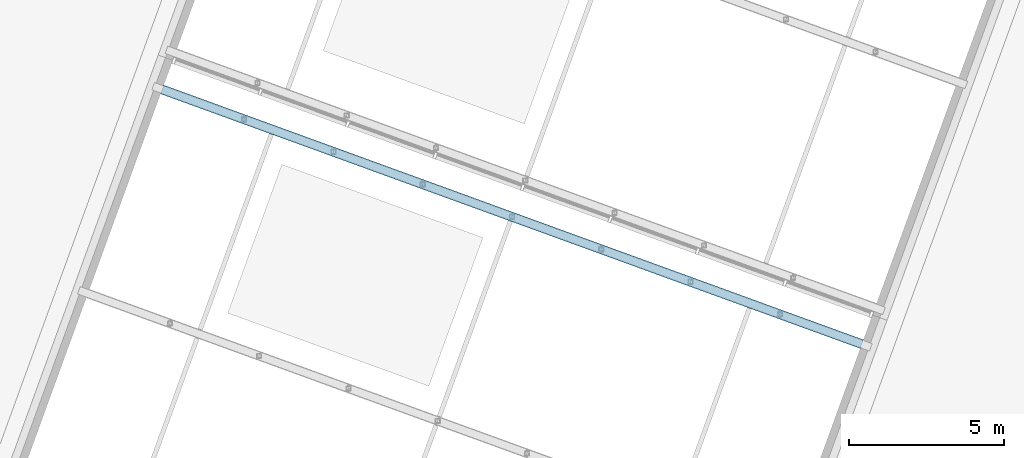
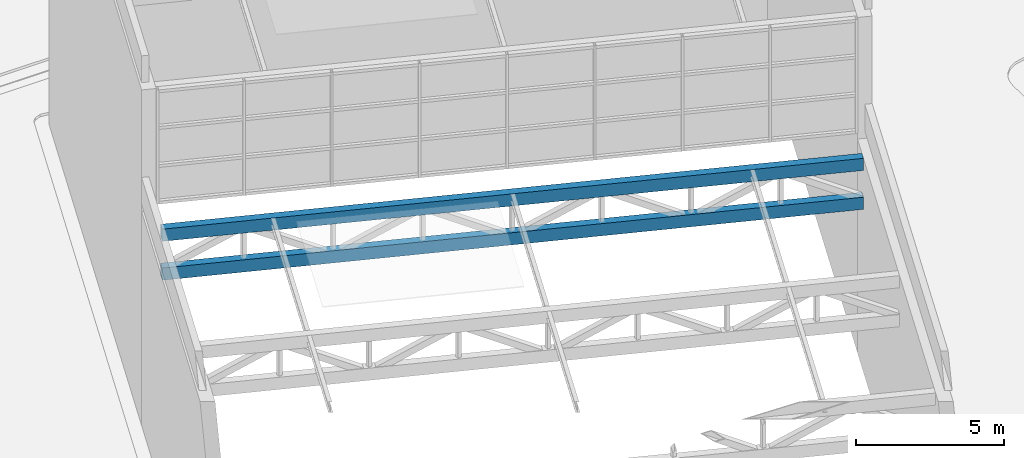
# One storey, part 34 of 72: 2 members.
"""IFC4 building model written with IfcOpenShell, lengths in metres."""

from ifc_helpers import new_model, si_unit, direction, frame, origin, origin_2d, place, context, subcontext, project, spatial, hollow_rectangle, extrude, material, material_profile, profile_set, type_object, element, save


model = new_model("IFC4")

# Units and contexts
model_context = context("Model", 3, precision=1e-05, world=origin(), true_north=direction((0.0, 1.0)))
body_context = subcontext(model_context, "Body", "Model", "MODEL_VIEW")
ifc_project = project(units=[si_unit("LENGTHUNIT", "METRE"), si_unit("AREAUNIT", "SQUARE_METRE"), si_unit("VOLUMEUNIT", "CUBIC_METRE"), si_unit("PLANEANGLEUNIT", "RADIAN"), si_unit("MASSUNIT", "GRAM", prefix="KILO")], contexts=[model_context])

# Site, building, storey
site_placement = place(None, origin())
site = spatial("IfcSite", under=ifc_project, at=site_placement, CompositionType="ELEMENT")
building_placement = place(site_placement, origin())
building = spatial("IfcBuilding", under=site, at=building_placement, Name="Nzadi Deep Aquarium and Research Tower", CompositionType="ELEMENT")
storey_placement = place(building_placement, frame((0.0, 0.0, 31.89990234375)))
storey = spatial("IfcBuildingStorey", under=building, at=storey_placement, Name="L05", CompositionType="ELEMENT", Elevation=31.89990234375)

# Members
ifc_material = material(Name="Steel S355", Category="steel")
ifc_material_profile = material_profile(ifc_material, hollow_rectangle(XDim=0.300048828125, YDim=0.5, WallThickness=0.01611328125, at=origin_2d()))
ifc_profile_set = profile_set([ifc_material_profile], Name="Steel S355")
member_type = type_object("IfcMemberType", Name="RHS 500x300x16 chord", PredefinedType="CHORD", material=ifc_profile_set)
for number, where, z_axis, x_axis, name in (
    (1, (17.181640625, 73.364501953125, 8.550048828125), (0.939692994673, -0.342019116079, 0.0), (0.342019116079, 0.939692994673, 0.0), "MB-PR-R1-T3-TOP"),
    (2, (17.181640625, 73.364501953125, 6.9501953125), (0.939692994673, -0.342019116079, 0.0), (0.342019116079, 0.939692994673, 0.0), "MB-PR-R1-T3-BOT"),
):
    element("IfcMember", number, at=place(storey_placement, frame(where, z_axis=z_axis, x_axis=x_axis)), inside=storey, type_object=member_type, Name=name, PredefinedType="CHORD", context=body_context, shape_type="SweptSolid", body=[
        extrude(hollow_rectangle(XDim=0.300048828125, YDim=0.5, WallThickness=0.01611328125, at=origin_2d()), origin(), (0.0, 0.0, 1.0), 24.0),
    ])

save(model, "model.ifc")
